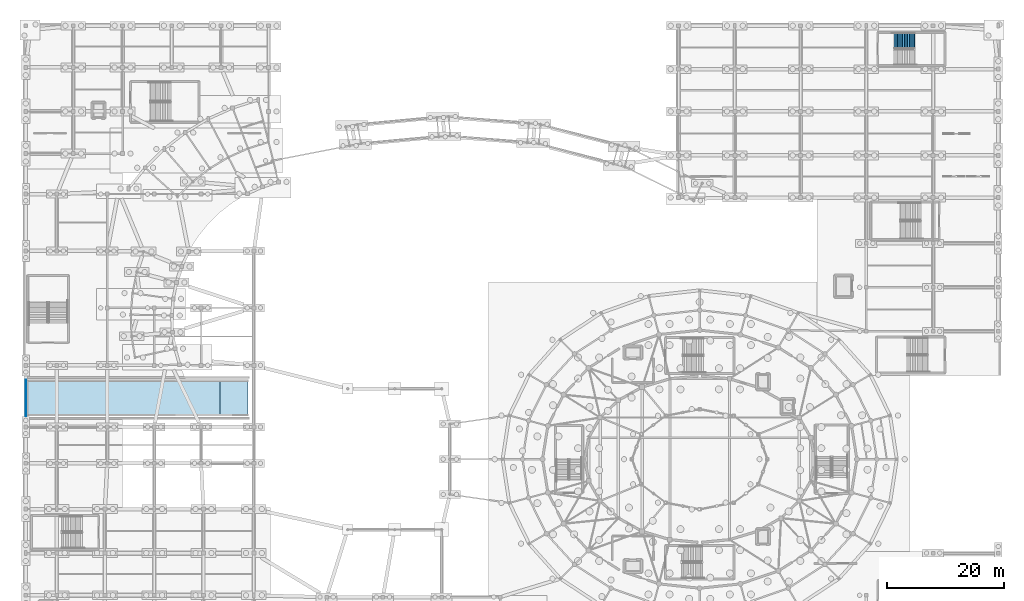
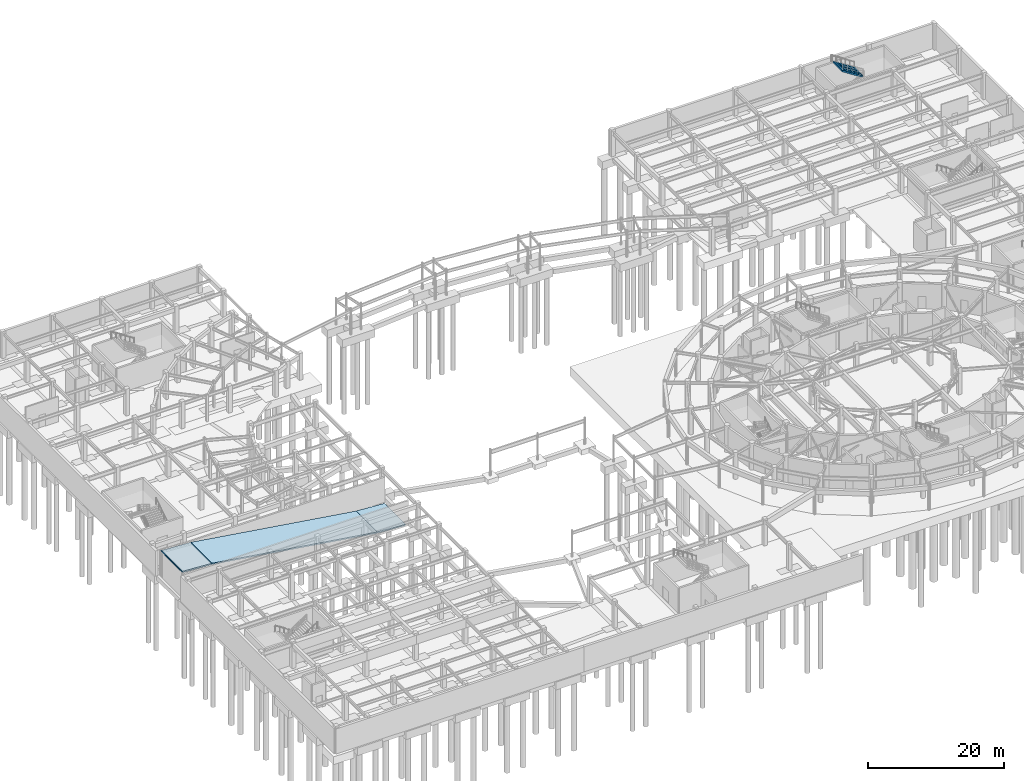
# One storey, part 61 of 68: 3 slabs, 1 ramp, 1 stair flight, 1 element without a shape of its own.
"""IFC4 building model written with IfcOpenShell, lengths in metres."""

from ifc_helpers import new_model, si_unit, direction, frame, origin, place, context, subcontext, project, spatial, polyline, outline, extrude, material, layer, layer_set, type_object, element, aggregate, save


model = new_model("IFC4")

# Units and contexts
model_context = context("Model", 3, precision=1e-05, world=origin(), true_north=direction((0.0, 1.0)))
body_context = subcontext(model_context, "Body", "Model", "MODEL_VIEW")
ifc_project = project(units=[si_unit("LENGTHUNIT", "METRE"), si_unit("AREAUNIT", "SQUARE_METRE"), si_unit("VOLUMEUNIT", "CUBIC_METRE"), si_unit("PLANEANGLEUNIT", "RADIAN"), si_unit("MASSUNIT", "GRAM", prefix="KILO")], contexts=[model_context])

# Slab
ifc_material_1 = material(Name="Reinforced concrete AS 3600 N40 (40 MPa)", Category="concrete")
ifc_layer_1 = layer(ifc_material_1, 0.239990234375)
ifc_layer_set_1 = layer_set([ifc_layer_1], Name="Reinforced concrete AS 3600 N40 (40 MPa)")
slab_type = type_object("IfcSlabType", Name="SL-RMP Slab 240mm", PredefinedType="FLOOR", material=ifc_layer_set_1)
site_placement = place(None, origin())
building_placement = place(site_placement, origin())
storey_placement = place(building_placement, frame((0.0, 0.0, -4.800048828125)))
slab_1_placement = place(storey_placement, frame((44.97998046875, 51.35009765625, 0.0), z_axis=(0.062502574963, 0.0, 0.998044802663), x_axis=(0.0, 1.0, 0.0)))
slab_1 = element("IfcSlab", 1, at=slab_1_placement, type_object=slab_type, Name="Basement Structural Vehicle Ramp Slab #1", PredefinedType="FLOOR", context=body_context, shape_type="SweptSolid", body=[
    extrude(outline(polyline([(0.0, 0.0), (6.199951171875, 0.0), (6.199951171875, 4.769334756238751), (0.0, 4.769334756238751), (0.0, 0.0)])), origin(), (0.0, 0.0, -1.0), 0.239990234375),
])

slab_2_placement = place(storey_placement, frame((40.179931640625, 51.35009765625, 0.301025390625), z_axis=(0.148411391233, 0.0, 0.988925709521), x_axis=(0.0, 1.0, 0.0)))
slab_2 = element("IfcSlab", 2, at=slab_2_placement, type_object=slab_type, Name="Basement Structural Vehicle Ramp Slab #2", PredefinedType="FLOOR", context=body_context, shape_type="SweptSolid", body=[
    extrude(outline(polyline([(0.0, 0.0), (6.199951171875, 0.0), (6.199951171875, 28.273065072837767), (0.0, 28.273065072837767), (0.0, 0.0)])), origin(), (0.0, 0.0, -1.0), 0.239990234375),
])

slab_3_placement = place(storey_placement, frame((12.179931640625, 51.35009765625, 4.5), z_axis=(0.059992163492, 0.0, 0.998198848086), x_axis=(0.0, 1.0, 0.0)))
slab_3 = element("IfcSlab", 3, at=slab_3_placement, type_object=slab_type, Name="Basement Structural Vehicle Ramp Slab #3", PredefinedType="FLOOR", context=body_context, shape_type="SweptSolid", body=[
    extrude(outline(polyline([(0.0, 0.0), (6.199951171875, 0.0), (6.199951171875, 4.968910700520534), (0.0, 4.968910700520534), (0.0, 0.0)])), origin(), (0.0, 0.0, -1.0), 0.239990234375),
])

# Site, building, storey
site = spatial("IfcSite", under=ifc_project, at=site_placement, CompositionType="ELEMENT")
building = spatial("IfcBuilding", under=site, at=building_placement, Name="Cinderbank Siding Concert Hall", CompositionType="ELEMENT")
storey = spatial("IfcBuildingStorey", under=building, at=storey_placement, Name="B1", CompositionType="ELEMENT", Elevation=-4.800048828125)

# Stair, stair flight
ifc_material_2 = material(Name="Reinforced concrete AS 3600 N50 (50 MPa)", Category="concrete")
stair_type = type_object("IfcStairType", Name="STR-A Dogleg Exit Stair 2650mm", PredefinedType="HALF_TURN_STAIR", material=ifc_material_2)
stair_placement = place(storey_placement, origin())
stair = element("IfcStair", 4, at=stair_placement, inside=storey, type_object=stair_type, Name="B1 Orchestral Pavilion Exit Stair ST-07", PredefinedType="HALF_TURN_STAIR")
stair_flight_type = type_object("IfcStairFlightType", Name="SFL-A Concrete Stair Flight 2650mm", PredefinedType="STRAIGHT", material=ifc_material_2)
stair_flight_placement = place(storey_placement, frame((158.6298828125, 115.3349609375, 2.400146484375), z_axis=(0.0, 0.0, 1.0), x_axis=(-1.0, 0.0, 0.0)))
stair_flight = element("IfcStairFlight", 5, at=stair_flight_placement, type_object=stair_flight_type, Name="ST-07 flight 2", NumberOfRisers=13, NumberOfTreads=12, PredefinedType="STRAIGHT", RiserHeight=0.184615385, TreadLength=0.29, context=body_context, shape_type="SweptSolid", body=[
    extrude(outline(polyline([(0.0, 0.0), (0.0, 0.1845703125), (0.2900390625, 0.1845703125), (0.2900390625, 0.369140625), (0.580078125, 0.369140625), (0.580078125, 0.553955078125), (0.8701171875, 0.553955078125), (0.8701171875, 0.738525390625), (1.159912109375, 0.738525390625), (1.159912109375, 0.923095703125), (1.449951171875, 0.923095703125), (1.449951171875, 1.107666015625), (1.739990234375, 1.107666015625), (1.739990234375, 1.292236328125), (2.030029296875, 1.292236328125), (2.030029296875, 1.476806640625), (2.320068359375, 1.476806640625), (2.320068359375, 1.66162109375), (2.610107421875, 1.66162109375), (2.610107421875, 1.84619140625), (2.89990234375, 1.84619140625), (2.89990234375, 2.03076171875), (3.18994140625, 2.03076171875), (3.18994140625, 2.21533203125), (3.47998046875, 2.21533203125), (3.534912109375, 2.39990234375), (3.534912109375, 2.03759765625), (3.53466796875, 2.037841796875), (3.53466796875, 2.0380859375), (3.53466796875, 2.038330078125), (3.53466796875, 2.03857421875), (3.53466796875, 2.038818359375), (3.53466796875, 2.0390625), (3.53466796875, 2.039306640625), (3.53466796875, 2.03955078125), (3.53466796875, 2.039794921875), (3.53466796875, 2.0400390625), (3.53466796875, 2.040283203125), (3.53466796875, 2.04052734375), (3.534423828125, 2.04052734375), (3.534423828125, 2.040283203125), (3.534423828125, 2.0400390625), (3.534423828125, 2.039794921875), (3.534423828125, 2.03955078125), (3.534423828125, 2.039306640625), (3.534423828125, 2.0390625), (3.534423828125, 2.038818359375), (3.534423828125, 2.03857421875), (3.534423828125, 2.038330078125), (3.534423828125, 2.0380859375), (3.534423828125, 2.037841796875), (3.534423828125, 2.03759765625), (3.5341796875, 2.037841796875), (3.5341796875, 2.0380859375), (3.5341796875, 2.038330078125), (3.5341796875, 2.03857421875), (3.5341796875, 2.038818359375), (3.5341796875, 2.0390625), (3.5341796875, 2.039306640625), (3.5341796875, 2.03955078125), (3.5341796875, 2.039794921875), (3.5341796875, 2.0400390625), (3.5341796875, 2.040283203125), (3.5341796875, 2.04052734375), (3.533935546875, 2.04052734375), (3.533935546875, 2.040283203125), (3.533935546875, 2.0400390625), (3.533935546875, 2.039794921875), (3.533935546875, 2.03955078125), (3.533935546875, 2.039306640625), (3.533935546875, 2.0390625), (3.533935546875, 2.038818359375), (3.533935546875, 2.03857421875), (3.533935546875, 2.038330078125), (3.533935546875, 2.0380859375), (3.533935546875, 2.037841796875), (3.533935546875, 2.03759765625), (3.53369140625, 2.037841796875), (3.53369140625, 2.0380859375), (3.53369140625, 2.038330078125), (3.53369140625, 2.03857421875), (3.53369140625, 2.038818359375), (3.53369140625, 2.0390625), (3.53369140625, 2.039306640625), (3.53369140625, 2.03955078125), (3.53369140625, 2.039794921875), (3.53369140625, 2.0400390625), (3.53369140625, 2.040283203125), (3.53369140625, 2.04052734375), (3.533447265625, 2.04052734375), (3.533447265625, 2.040283203125), (3.533447265625, 2.0400390625), (3.533447265625, 2.039794921875), (3.533447265625, 2.03955078125), (3.533447265625, 2.039306640625), (3.533447265625, 2.0390625), (3.533447265625, 2.038818359375), (3.533447265625, 2.03857421875), (3.533447265625, 2.038330078125), (3.533447265625, 2.0380859375), (3.533447265625, 2.037841796875), (3.533447265625, 2.03759765625), (3.533203125, 2.037841796875), (3.533203125, 2.0380859375), (3.533203125, 2.038330078125), (3.533203125, 2.03857421875), (3.533203125, 2.038818359375), (3.533203125, 2.0390625), (3.533203125, 2.039306640625), (3.533203125, 2.03955078125), (3.533203125, 2.039794921875), (3.533203125, 2.0400390625), (3.533203125, 2.040283203125), (3.533203125, 2.04052734375), (3.532958984375, 2.04052734375), (3.532958984375, 2.040283203125), (3.532958984375, 2.0400390625), (3.532958984375, 2.039794921875), (3.532958984375, 2.03955078125), (3.532958984375, 2.039306640625), (3.532958984375, 2.0390625), (3.532958984375, 2.038818359375), (3.532958984375, 2.03857421875), (3.532958984375, 2.038330078125), (3.532958984375, 2.0380859375), (3.532958984375, 2.037841796875), (3.532958984375, 2.03759765625), (3.53271484375, 2.037841796875), (3.53271484375, 2.0380859375), (3.53271484375, 2.038330078125), (3.53271484375, 2.03857421875), (3.53271484375, 2.038818359375), (3.53271484375, 2.0390625), (3.53271484375, 2.039306640625), (3.53271484375, 2.03955078125), (3.53271484375, 2.039794921875), (3.53271484375, 2.0400390625), (3.53271484375, 2.040283203125), (3.53271484375, 2.04052734375), (3.532470703125, 2.04052734375), (3.532470703125, 2.040283203125), (3.532470703125, 2.0400390625), (3.532470703125, 2.039794921875), (3.532470703125, 2.03955078125), (3.532470703125, 2.039306640625), (3.532470703125, 2.0390625), (3.532470703125, 2.038818359375), (3.532470703125, 2.03857421875), (3.532470703125, 2.038330078125), (3.532470703125, 2.0380859375), (3.532470703125, 2.037841796875), (3.532470703125, 2.03759765625), (3.5322265625, 2.037841796875), (3.5322265625, 2.0380859375), (3.5322265625, 2.038330078125), (3.5322265625, 2.03857421875), (3.5322265625, 2.038818359375), (3.5322265625, 2.0390625), (3.5322265625, 2.039306640625), (3.5322265625, 2.03955078125), (3.5322265625, 2.039794921875), (3.5322265625, 2.0400390625), (3.5322265625, 2.040283203125), (3.5322265625, 2.04052734375), (3.531982421875, 2.04052734375), (3.531982421875, 2.040283203125), (3.531982421875, 2.0400390625), (3.531982421875, 2.039794921875), (3.531982421875, 2.03955078125), (3.531982421875, 2.039306640625), (3.531982421875, 2.0390625), (3.531982421875, 2.038818359375), (3.531982421875, 2.03857421875), (3.531982421875, 2.038330078125), (3.531982421875, 2.0380859375), (3.531982421875, 2.037841796875), (3.531982421875, 2.03759765625), (3.53173828125, 2.037841796875), (3.53173828125, 2.0380859375), (3.53173828125, 2.038330078125), (3.53173828125, 2.03857421875), (3.53173828125, 2.038818359375), (3.53173828125, 2.0390625), (3.53173828125, 2.039306640625), (3.53173828125, 2.03955078125), (3.53173828125, 2.039794921875), (3.53173828125, 2.0400390625), (3.53173828125, 2.040283203125), (3.53173828125, 2.04052734375), (3.531494140625, 2.04052734375), (3.531494140625, 2.040283203125), (3.531494140625, 2.0400390625), (3.531494140625, 2.039794921875), (3.531494140625, 2.03955078125), (3.531494140625, 2.039306640625), (3.531494140625, 2.0390625), (3.531494140625, 2.038818359375), (3.531494140625, 2.03857421875), (3.531494140625, 2.038330078125), (3.531494140625, 2.0380859375), (3.531494140625, 2.037841796875), (3.531494140625, 2.03759765625), (3.53125, 2.037841796875), (3.53125, 2.0380859375), (3.53125, 2.038330078125), (3.53125, 2.03857421875), (3.53125, 2.038818359375), (3.53125, 2.0390625), (3.53125, 2.039306640625), (3.53125, 2.03955078125), (3.53125, 2.039794921875), (3.53125, 2.0400390625), (3.53125, 2.040283203125), (3.53125, 2.04052734375), (3.531005859375, 2.04052734375), (3.531005859375, 2.040283203125), (3.531005859375, 2.0400390625), (3.531005859375, 2.039794921875), (3.531005859375, 2.03955078125), (3.531005859375, 2.039306640625), (3.531005859375, 2.0390625), (3.531005859375, 2.038818359375), (3.531005859375, 2.03857421875), (3.531005859375, 2.038330078125), (3.531005859375, 2.0380859375), (3.531005859375, 2.037841796875), (3.531005859375, 2.03759765625), (3.53076171875, 2.037841796875), (3.53076171875, 2.0380859375), (3.53076171875, 2.038330078125), (3.53076171875, 2.03857421875), (3.53076171875, 2.038818359375), (3.53076171875, 2.0390625), (3.53076171875, 2.039306640625), (3.53076171875, 2.03955078125), (3.53076171875, 2.039794921875), (3.53076171875, 2.0400390625), (3.53076171875, 2.040283203125), (3.53076171875, 2.04052734375), (3.530517578125, 2.04052734375), (3.530517578125, 2.040283203125), (3.530517578125, 2.0400390625), (3.530517578125, 2.039794921875), (3.530517578125, 2.03955078125), (3.530517578125, 2.039306640625), (3.530517578125, 2.0390625), (3.530517578125, 2.038818359375), (3.530517578125, 2.03857421875), (3.530517578125, 2.038330078125), (3.530517578125, 2.0380859375), (3.530517578125, 2.037841796875), (3.530517578125, 2.03759765625), (3.5302734375, 2.037841796875), (3.5302734375, 2.0380859375), (3.5302734375, 2.038330078125), (3.5302734375, 2.03857421875), (3.5302734375, 2.038818359375), (3.5302734375, 2.0390625), (3.5302734375, 2.039306640625), (3.5302734375, 2.03955078125), (3.5302734375, 2.039794921875), (3.5302734375, 2.0400390625), (3.5302734375, 2.040283203125), (3.5302734375, 2.04052734375), (3.530029296875, 2.04052734375), (3.530029296875, 2.040283203125), (3.530029296875, 2.0400390625), (3.530029296875, 2.039794921875), (3.530029296875, 2.03955078125), (3.530029296875, 2.039306640625), (3.530029296875, 2.0390625), (3.530029296875, 2.038818359375), (3.530029296875, 2.03857421875), (3.530029296875, 2.038330078125), (3.530029296875, 2.0380859375), (3.530029296875, 2.037841796875), (3.530029296875, 2.03759765625), (3.52978515625, 2.037841796875), (3.52978515625, 2.0380859375), (3.52978515625, 2.038330078125), (3.52978515625, 2.03857421875), (3.52978515625, 2.038818359375), (3.52978515625, 2.0390625), (3.52978515625, 2.039306640625), (3.52978515625, 2.03955078125), (3.52978515625, 2.039794921875), (3.52978515625, 2.0400390625), (3.52978515625, 2.040283203125), (3.52978515625, 2.04052734375), (3.529541015625, 2.04052734375), (3.529541015625, 2.040283203125), (3.529541015625, 2.0400390625), (3.529541015625, 2.039794921875), (3.529541015625, 2.03955078125), (3.529541015625, 2.039306640625), (3.529541015625, 2.0390625), (3.529541015625, 2.038818359375), (3.529541015625, 2.03857421875), (3.529541015625, 2.038330078125), (3.529541015625, 2.0380859375), (3.529541015625, 2.037841796875), (3.529541015625, 2.03759765625), (3.529296875, 2.037841796875), (3.529296875, 2.0380859375), (3.529296875, 2.038330078125), (3.529296875, 2.03857421875), (3.529296875, 2.038818359375), (3.529296875, 2.0390625), (3.529296875, 2.039306640625), (3.529296875, 2.03955078125), (3.529296875, 2.039794921875), (3.529296875, 2.0400390625), (3.529296875, 2.040283203125), (3.529296875, 2.04052734375), (3.529052734375, 2.04052734375), (3.529052734375, 2.040283203125), (3.529052734375, 2.0400390625), (3.529052734375, 2.039794921875), (3.529052734375, 2.03955078125), (3.529052734375, 2.039306640625), (3.529052734375, 2.0390625), (3.529052734375, 2.038818359375), (3.529052734375, 2.03857421875), (3.529052734375, 2.038330078125), (3.529052734375, 2.0380859375), (3.529052734375, 2.037841796875), (3.529052734375, 2.03759765625), (3.52880859375, 2.037841796875), (3.52880859375, 2.0380859375), (3.52880859375, 2.038330078125), (3.52880859375, 2.03857421875), (3.52880859375, 2.038818359375), (3.52880859375, 2.0390625), (3.52880859375, 2.039306640625), (3.52880859375, 2.03955078125), (3.52880859375, 2.039794921875), (3.52880859375, 2.0400390625), (3.52880859375, 2.040283203125), (3.52880859375, 2.04052734375), (3.528564453125, 2.04052734375), (3.528564453125, 2.040283203125), (3.528564453125, 2.0400390625), (3.528564453125, 2.039794921875), (3.528564453125, 2.03955078125), (3.528564453125, 2.039306640625), (3.528564453125, 2.0390625), (3.528564453125, 2.038818359375), (3.528564453125, 2.03857421875), (3.528564453125, 2.038330078125), (3.528564453125, 2.0380859375), (3.528564453125, 2.037841796875), (3.528564453125, 2.03759765625), (0.279052734375, -0.06396484375), (-0.048583984375, -0.063720703125), (-0.048583984375, -0.0634765625), (-0.048583984375, -0.063232421875), (-0.048583984375, -0.06298828125), (-0.048583984375, -0.062744140625), (-0.048583984375, -0.0625), (-0.048583984375, -0.062255859375), (-0.048583984375, -0.06201171875), (-0.048583984375, -0.061767578125), (-0.048583984375, -0.0615234375), (-0.048583984375, -0.061279296875), (-0.048583984375, -0.06103515625), (-0.048828125, -0.06103515625), (-0.048828125, -0.061279296875), (-0.048828125, -0.0615234375), (-0.048828125, -0.061767578125), (-0.048828125, -0.06201171875), (-0.048828125, -0.062255859375), (-0.048828125, -0.0625), (-0.048828125, -0.062744140625), (-0.048828125, -0.06298828125), (-0.048828125, -0.063232421875), (-0.048828125, -0.0634765625), (-0.048828125, -0.063720703125), (-0.048828125, -0.06396484375), (-0.049072265625, -0.063720703125), (-0.049072265625, -0.0634765625), (-0.049072265625, -0.063232421875), (-0.049072265625, -0.06298828125), (-0.049072265625, -0.062744140625), (-0.049072265625, -0.0625), (-0.049072265625, -0.062255859375), (-0.049072265625, -0.06201171875), (-0.049072265625, -0.061767578125), (-0.049072265625, -0.0615234375), (-0.049072265625, -0.061279296875), (-0.049072265625, -0.06103515625), (-0.04931640625, -0.06103515625), (-0.04931640625, -0.061279296875), (-0.04931640625, -0.0615234375), (-0.04931640625, -0.061767578125), (-0.04931640625, -0.06201171875), (-0.04931640625, -0.062255859375), (-0.04931640625, -0.0625), (-0.04931640625, -0.062744140625), (-0.04931640625, -0.06298828125), (-0.04931640625, -0.063232421875), (-0.04931640625, -0.0634765625), (-0.04931640625, -0.063720703125), (-0.04931640625, -0.06396484375), (-0.049560546875, -0.063720703125), (-0.049560546875, -0.0634765625), (-0.049560546875, -0.063232421875), (-0.049560546875, -0.06298828125), (-0.049560546875, -0.062744140625), (-0.049560546875, -0.0625), (-0.049560546875, -0.062255859375), (-0.049560546875, -0.06201171875), (-0.049560546875, -0.061767578125), (-0.049560546875, -0.0615234375), (-0.049560546875, -0.061279296875), (-0.049560546875, -0.06103515625), (-0.0498046875, -0.06103515625), (-0.0498046875, -0.061279296875), (-0.0498046875, -0.0615234375), (-0.0498046875, -0.061767578125), (-0.0498046875, -0.06201171875), (-0.0498046875, -0.062255859375), (-0.0498046875, -0.0625), (-0.0498046875, -0.062744140625), (-0.0498046875, -0.06298828125), (-0.0498046875, -0.063232421875), (-0.0498046875, -0.0634765625), (-0.0498046875, -0.063720703125), (-0.0498046875, -0.06396484375), (-0.050048828125, -0.063720703125), (-0.050048828125, -0.0634765625), (-0.050048828125, -0.063232421875), (-0.050048828125, -0.06298828125), (-0.050048828125, -0.062744140625), (-0.050048828125, -0.0625), (-0.050048828125, -0.062255859375), (-0.050048828125, -0.06201171875), (-0.050048828125, -0.061767578125), (-0.050048828125, -0.0615234375), (-0.050048828125, -0.061279296875), (-0.050048828125, -0.06103515625), (-0.05029296875, -0.06103515625), (-0.05029296875, -0.061279296875), (-0.05029296875, -0.0615234375), (-0.05029296875, -0.061767578125), (-0.05029296875, -0.06201171875), (-0.05029296875, -0.062255859375), (-0.05029296875, -0.0625), (-0.05029296875, -0.062744140625), (-0.05029296875, -0.06298828125), (-0.05029296875, -0.063232421875), (-0.05029296875, -0.0634765625), (-0.05029296875, -0.063720703125), (-0.05029296875, -0.06396484375), (-0.050537109375, -0.063720703125), (-0.050537109375, -0.0634765625), (-0.050537109375, -0.063232421875), (-0.050537109375, -0.06298828125), (-0.050537109375, -0.062744140625), (-0.050537109375, -0.0625), (-0.050537109375, -0.062255859375), (-0.050537109375, -0.06201171875), (-0.050537109375, -0.061767578125), (-0.050537109375, -0.0615234375), (-0.050537109375, -0.061279296875), (-0.050537109375, -0.06103515625), (-0.05078125, -0.06103515625), (-0.05078125, -0.061279296875), (-0.05078125, -0.0615234375), (-0.05078125, -0.061767578125), (-0.05078125, -0.06201171875), (-0.05078125, -0.062255859375), (-0.05078125, -0.0625), (-0.05078125, -0.062744140625), (-0.05078125, -0.06298828125), (-0.05078125, -0.063232421875), (-0.05078125, -0.0634765625), (-0.05078125, -0.063720703125), (-0.05078125, -0.06396484375), (-0.051025390625, -0.063720703125), (-0.051025390625, -0.0634765625), (-0.051025390625, -0.063232421875), (-0.051025390625, -0.06298828125), (-0.051025390625, -0.062744140625), (-0.051025390625, -0.0625), (-0.051025390625, -0.062255859375), (-0.051025390625, -0.06201171875), (-0.051025390625, -0.061767578125), (-0.051025390625, -0.0615234375), (-0.051025390625, -0.061279296875), (-0.051025390625, -0.06103515625), (-0.05126953125, -0.06103515625), (-0.05126953125, -0.061279296875), (-0.05126953125, -0.0615234375), (-0.05126953125, -0.061767578125), (-0.05126953125, -0.06201171875), (-0.05126953125, -0.062255859375), (-0.05126953125, -0.0625), (-0.05126953125, -0.062744140625), (-0.05126953125, -0.06298828125), (-0.05126953125, -0.063232421875), (-0.05126953125, -0.0634765625), (-0.05126953125, -0.063720703125), (-0.05126953125, -0.06396484375), (-0.051513671875, -0.063720703125), (-0.051513671875, -0.0634765625), (-0.051513671875, -0.063232421875), (-0.051513671875, -0.06298828125), (-0.051513671875, -0.062744140625), (-0.051513671875, -0.0625), (-0.051513671875, -0.062255859375), (-0.051513671875, -0.06201171875), (-0.051513671875, -0.061767578125), (-0.051513671875, -0.0615234375), (-0.051513671875, -0.061279296875), (-0.051513671875, -0.06103515625), (-0.0517578125, -0.06103515625), (-0.0517578125, -0.061279296875), (-0.0517578125, -0.0615234375), (-0.0517578125, -0.061767578125), (-0.0517578125, -0.06201171875), (-0.0517578125, -0.062255859375), (-0.0517578125, -0.0625), (-0.0517578125, -0.062744140625), (-0.0517578125, -0.06298828125), (-0.0517578125, -0.063232421875), (-0.0517578125, -0.0634765625), (-0.0517578125, -0.063720703125), (-0.0517578125, -0.06396484375), (-0.052001953125, -0.063720703125), (-0.052001953125, -0.0634765625), (-0.052001953125, -0.063232421875), (-0.052001953125, -0.06298828125), (-0.052001953125, -0.062744140625), (-0.052001953125, -0.0625), (-0.052001953125, -0.062255859375), (-0.052001953125, -0.06201171875), (-0.052001953125, -0.061767578125), (-0.052001953125, -0.0615234375), (-0.052001953125, -0.061279296875), (-0.052001953125, -0.06103515625), (-0.05224609375, -0.06103515625), (-0.05224609375, -0.061279296875), (-0.05224609375, -0.0615234375), (-0.05224609375, -0.061767578125), (-0.05224609375, -0.06201171875), (-0.05224609375, -0.062255859375), (-0.05224609375, -0.0625), (-0.05224609375, -0.062744140625), (-0.05224609375, -0.06298828125), (-0.05224609375, -0.063232421875), (-0.05224609375, -0.0634765625), (-0.05224609375, -0.063720703125), (-0.05224609375, -0.06396484375), (-0.052490234375, -0.063720703125), (-0.052490234375, -0.0634765625), (-0.052490234375, -0.063232421875), (-0.052490234375, -0.06298828125), (-0.052490234375, -0.062744140625), (-0.052490234375, -0.0625), (-0.052490234375, -0.062255859375), (-0.052490234375, -0.06201171875), (-0.052490234375, -0.061767578125), (-0.052490234375, -0.0615234375), (-0.052490234375, -0.061279296875), (-0.052490234375, -0.06103515625), (-0.052734375, -0.06103515625), (-0.052734375, -0.061279296875), (-0.052734375, -0.0615234375), (-0.052734375, -0.061767578125), (-0.052734375, -0.06201171875), (-0.052734375, -0.062255859375), (-0.052734375, -0.0625), (-0.052734375, -0.062744140625), (-0.052734375, -0.06298828125), (-0.052734375, -0.063232421875), (-0.052734375, -0.0634765625), (-0.052734375, -0.063720703125), (-0.052734375, -0.06396484375), (-0.052978515625, -0.063720703125), (-0.052978515625, -0.0634765625), (-0.052978515625, -0.063232421875), (-0.052978515625, -0.06298828125), (-0.052978515625, -0.062744140625), (-0.052978515625, -0.0625), (-0.052978515625, -0.062255859375), (-0.052978515625, -0.06201171875), (-0.052978515625, -0.061767578125), (-0.052978515625, -0.0615234375), (-0.052978515625, -0.061279296875), (-0.052978515625, -0.06103515625), (-0.05322265625, -0.06103515625), (-0.05322265625, -0.061279296875), (-0.05322265625, -0.0615234375), (-0.05322265625, -0.061767578125), (-0.05322265625, -0.06201171875), (-0.05322265625, -0.062255859375), (-0.05322265625, -0.0625), (-0.05322265625, -0.062744140625), (-0.05322265625, -0.06298828125), (-0.05322265625, -0.063232421875), (-0.05322265625, -0.0634765625), (-0.05322265625, -0.063720703125), (-0.05322265625, -0.06396484375), (-0.053466796875, -0.063720703125), (-0.053466796875, -0.0634765625), (-0.053466796875, -0.063232421875), (-0.053466796875, -0.06298828125), (-0.053466796875, -0.062744140625), (-0.053466796875, -0.0625), (-0.053466796875, -0.062255859375), (-0.053466796875, -0.06201171875), (-0.053466796875, -0.061767578125), (-0.053466796875, -0.0615234375), (-0.053466796875, -0.061279296875), (-0.053466796875, -0.06103515625), (-0.0537109375, -0.06103515625), (-0.0537109375, -0.061279296875), (-0.0537109375, -0.0615234375), (-0.0537109375, -0.061767578125), (-0.0537109375, -0.06201171875), (-0.0537109375, -0.062255859375), (-0.0537109375, -0.0625), (-0.0537109375, -0.062744140625), (-0.0537109375, -0.06298828125), (-0.0537109375, -0.063232421875), (-0.0537109375, -0.0634765625), (-0.0537109375, -0.063720703125), (-0.0537109375, -0.06396484375), (-0.053955078125, -0.063720703125), (-0.053955078125, -0.0634765625), (-0.053955078125, -0.063232421875), (-0.053955078125, -0.06298828125), (-0.053955078125, -0.062744140625), (-0.053955078125, -0.0625), (-0.053955078125, -0.062255859375), (-0.053955078125, -0.06201171875), (-0.053955078125, -0.061767578125), (-0.053955078125, -0.0615234375), (-0.053955078125, -0.061279296875), (-0.053955078125, -0.06103515625), (-0.05419921875, -0.06103515625), (-0.05419921875, -0.061279296875), (-0.05419921875, -0.0615234375), (-0.05419921875, -0.061767578125), (-0.05419921875, -0.06201171875), (-0.05419921875, -0.062255859375), (-0.05419921875, -0.0625), (-0.05419921875, -0.062744140625), (-0.05419921875, -0.06298828125), (-0.05419921875, -0.063232421875), (-0.05419921875, -0.0634765625), (-0.05419921875, -0.063720703125), (-0.05419921875, -0.06396484375), (-0.054443359375, -0.063720703125), (-0.054443359375, -0.0634765625), (-0.054443359375, -0.063232421875), (-0.054443359375, -0.06298828125), (-0.054443359375, -0.062744140625), (-0.054443359375, -0.0625), (-0.054443359375, -0.062255859375), (-0.054443359375, -0.06201171875), (-0.054443359375, -0.061767578125), (-0.054443359375, -0.0615234375), (-0.054443359375, -0.061279296875), (-0.054443359375, -0.06103515625), (-0.0546875, -0.06103515625), (-0.0546875, -0.061279296875), (-0.0546875, -0.0615234375), (-0.0546875, -0.061767578125), (-0.0546875, -0.06201171875), (-0.0546875, -0.062255859375), (-0.0546875, -0.0625), (-0.0546875, -0.062744140625), (-0.0546875, -0.06298828125), (-0.0546875, -0.063232421875), (-0.0546875, -0.0634765625), (-0.0546875, -0.063720703125), (-0.0546875, -0.06396484375), (-0.054931640625, -0.06396484375), (-0.054931640625, 0.0), (0.0, 0.0)])), frame((0.0, 1.324951171875, 0.0), z_axis=(0.0, -1.0, 0.0), x_axis=(1.0, 0.0, 0.0)), (0.0, 0.0, 1.0), 2.64990234375),
])
aggregate(stair, [stair_flight])

# Ramp
ifc_layer_2 = layer(ifc_material_1, 0.239990234375)
ifc_layer_set_2 = layer_set([ifc_layer_2], Name="Reinforced concrete AS 3600 N40 (40 MPa)")
ramp_type = type_object("IfcRampType", Name="RP-VH1 Basement Two-Way Vehicle Ramp", PredefinedType="STRAIGHT_RUN_RAMP", material=ifc_layer_set_2)
ramp_placement = place(storey_placement, frame((0.0, 0.0, 4.739990234375)))
ramp = element("IfcRamp", 6, at=ramp_placement, inside=storey, type_object=ramp_type, Name="Basement Two-Way Vehicle Ramp", PredefinedType="STRAIGHT_RUN_RAMP", context=body_context, shape_type="SweptSolid", body=[
    extrude(outline(polyline([(7.080078125, 51.35009765625), (7.199951171875, 51.35009765625), (7.199951171875, 57.550048828125), (7.080078125, 57.550048828125), (7.080078125, 51.35009765625)])), origin(), (0.0, 0.0, 1.0), 0.06005859375),
])

aggregate(ramp, [slab_1, slab_2, slab_3])

save(model, "model.ifc")
